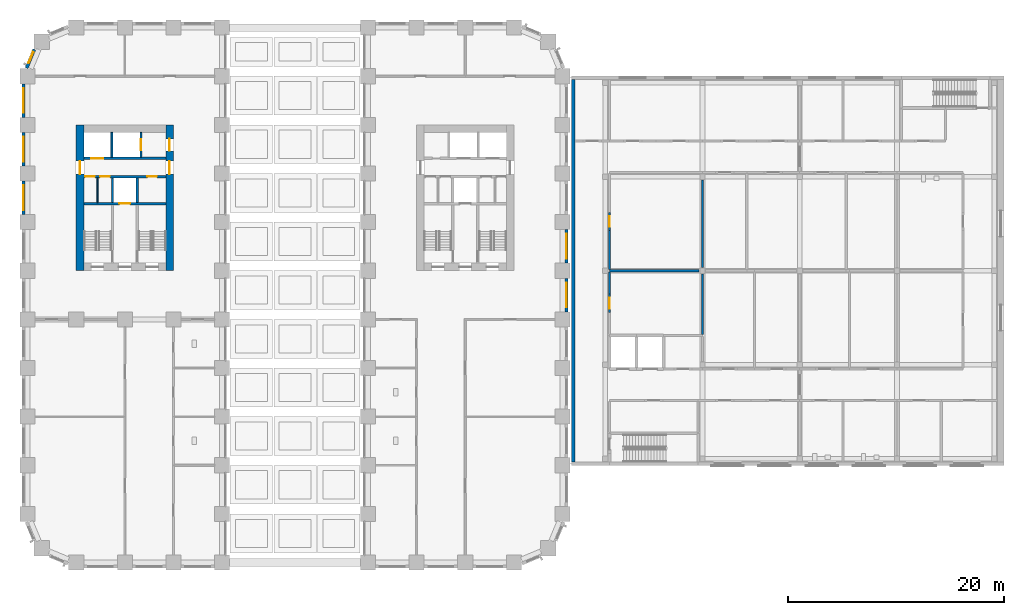
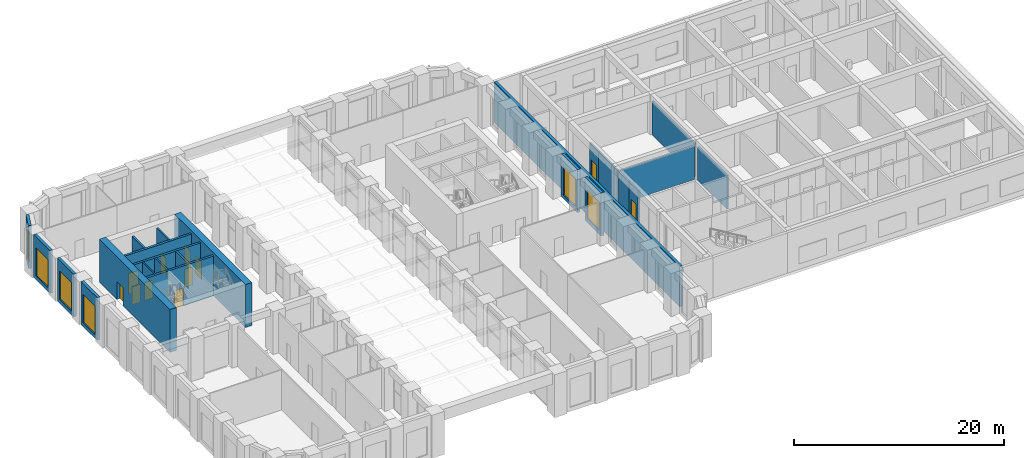
# One storey, part 11 of 24: 24 walls, 11 doors, 6 windows, 17 openings.
"""IFC4 building model written with IfcOpenShell, lengths in metres."""

from ifc_helpers import new_model, si_unit, direction, frame, frame_2d, origin, place, context, subcontext, project, spatial, rectangle, extrude, material, layer, layer_set, type_object, element, fill, save


model = new_model("IFC4")

# Units and contexts
model_context = context("Model", 3, precision=1e-05, world=origin(), true_north=direction((0.0, 1.0)))
body_context = subcontext(model_context, "Body", "Model", "MODEL_VIEW")
ifc_project = project(units=[si_unit("LENGTHUNIT", "METRE"), si_unit("AREAUNIT", "SQUARE_METRE"), si_unit("VOLUMEUNIT", "CUBIC_METRE"), si_unit("PLANEANGLEUNIT", "RADIAN"), si_unit("MASSUNIT", "GRAM", prefix="KILO")], contexts=[model_context])

# Site, building, storey
site_placement = place(None, origin())
site = spatial("IfcSite", under=ifc_project, at=site_placement, CompositionType="ELEMENT")
building_placement = place(site_placement, origin())
building = spatial("IfcBuilding", under=site, at=building_placement, Name="Girih Gate Residences", CompositionType="ELEMENT")
storey_placement = place(building_placement, frame((0.0, 0.0, 16.0)))
storey = spatial("IfcBuildingStorey", under=building, at=storey_placement, Name="L03", CompositionType="ELEMENT", Elevation=16.0)

# Wall, opening, door
ifc_material_1 = material(Name="Concrete C60/75", Category="concrete")
ifc_layer_1 = layer(ifc_material_1, 0.699951171875)
ifc_layer_set_1 = layer_set([ifc_layer_1], Name="Core wall RC 700 Concrete C60/75")
wall_type_1 = type_object("IfcWallType", Name="Core wall RC 700 Concrete C60/75", PredefinedType="SOLIDWALL", material=ifc_layer_set_1)
wall_1_placement = place(storey_placement, frame((4.85009765625, 27.0, 0.0), z_axis=(0.0, 0.0, 1.0), x_axis=(0.0, 1.0, 0.0)))
wall_1 = element("IfcWall", 1, at=wall_1_placement, inside=storey, type_object=wall_type_1, Name="Core wall W-W L03", PredefinedType="SOLIDWALL", context=body_context, shape_type="SweptSolid", body=[
    extrude(rectangle(XDim=13.5, YDim=0.699951171875, at=frame_2d((6.75, 0.0))), origin(), (0.0, 0.0, 1.0), 5.0),
])
opening_1_placement = place(wall_1_placement, frame((8.949951171875, 0.0, 0.0)))
opening_1 = element("IfcOpeningElement", 2, at=opening_1_placement, cuts=wall_1, Name="Opening D-L03-W-013", PredefinedType="OPENING", context=body_context, shape_type="SweptSolid", body=[
    extrude(rectangle(XDim=1.199951171875, YDim=2.10009765625, at=frame_2d((0.60009765625, 1.050048828125))), frame((0.0, 0.35986328125, 0.0), z_axis=(0.0, -1.0, 0.0), x_axis=(1.0, 0.0, 0.0)), (0.0, 0.0, 1.0), 0.719970703125),
])
ifc_material_2 = material(Name="Painted steel, fire-resisting", Category="steel")
door_type_1 = type_object("IfcDoorType", Name="Fire door 1200x2100", OperationType="SINGLE_SWING_LEFT", PredefinedType="DOOR", material=ifc_material_2)
door_1_placement = place(opening_1_placement, origin())
door_1 = element("IfcDoor", 3, at=door_1_placement, inside=storey, type_object=door_type_1, Name="L03 W core door ll-w", OperationType="SINGLE_SWING_LEFT", OverallHeight=2.10009765625, OverallWidth=1.199951171875, PredefinedType="DOOR", context=body_context, shape_type="SweptSolid", body=[
    extrude(rectangle(XDim=1.199951171875, YDim=2.10009765625, at=frame_2d((0.60009765625, 1.050048828125))), frame((0.0, 0.02490234375, 0.0), z_axis=(0.0, -1.0, 0.0), x_axis=(1.0, 0.0, 0.0)), (0.0, 0.0, 1.0), 0.050048828125),
])
fill(opening_1, door_1)

# Wall, openings, doors
wall_2_placement = place(storey_placement, frame((13.14990234375, 27.0, 0.0), z_axis=(0.0, 0.0, 1.0), x_axis=(0.0, 1.0, 0.0)))
wall_2 = element("IfcWall", 4, at=wall_2_placement, inside=storey, type_object=wall_type_1, Name="Core wall W-E L03", PredefinedType="SOLIDWALL", context=body_context, shape_type="SweptSolid", body=[
    extrude(rectangle(XDim=13.5, YDim=0.699951171875, at=frame_2d((6.75, 0.0))), origin(), (0.0, 0.0, 1.0), 5.0),
])
opening_2_placement = place(wall_2_placement, frame((11.10009765625, 0.0, 0.0)))
opening_2 = element("IfcOpeningElement", 5, at=opening_2_placement, cuts=wall_2, Name="Opening D-L03-W-012", PredefinedType="OPENING", context=body_context, shape_type="SweptSolid", body=[
    extrude(rectangle(XDim=1.10009765625, YDim=2.10009765625, at=frame_2d((0.550048828125, 1.050048828125))), frame((0.0, 0.35986328125, 0.0), z_axis=(0.0, -1.0, 0.0), x_axis=(1.0, 0.0, 0.0)), (0.0, 0.0, 1.0), 0.719970703125),
])
opening_3_placement = place(wall_2_placement, frame((8.949951171875, 0.0, 0.0)))
opening_3 = element("IfcOpeningElement", 6, at=opening_3_placement, cuts=wall_2, Name="Opening D-L03-W-014", PredefinedType="OPENING", context=body_context, shape_type="SweptSolid", body=[
    extrude(rectangle(XDim=1.199951171875, YDim=2.10009765625, at=frame_2d((0.60009765625, 1.050048828125))), frame((0.0, 0.35986328125, 0.0), z_axis=(0.0, -1.0, 0.0), x_axis=(1.0, 0.0, 0.0)), (0.0, 0.0, 1.0), 0.719970703125),
])
door_type_2 = type_object("IfcDoorType", Name="Fire door 1100x2100", OperationType="SINGLE_SWING_LEFT", PredefinedType="DOOR", material=ifc_material_2)
door_2_placement = place(opening_2_placement, origin())
door_2 = element("IfcDoor", 7, at=door_2_placement, inside=storey, type_object=door_type_2, Name="L03 W core door ffl2-e", OperationType="SINGLE_SWING_LEFT", OverallHeight=2.10009765625, OverallWidth=1.10009765625, PredefinedType="DOOR", context=body_context, shape_type="SweptSolid", body=[
    extrude(rectangle(XDim=1.10009765625, YDim=2.10009765625, at=frame_2d((0.550048828125, 1.050048828125))), frame((0.0, 0.02490234375, 0.0), z_axis=(0.0, -1.0, 0.0), x_axis=(1.0, 0.0, 0.0)), (0.0, 0.0, 1.0), 0.050048828125),
])
fill(opening_2, door_2)
door_3_placement = place(opening_3_placement, origin())
door_3 = element("IfcDoor", 8, at=door_3_placement, inside=storey, type_object=door_type_1, Name="L03 W core door ll-e", OperationType="SINGLE_SWING_LEFT", OverallHeight=2.10009765625, OverallWidth=1.199951171875, PredefinedType="DOOR", context=body_context, shape_type="SweptSolid", body=[
    extrude(rectangle(XDim=1.199951171875, YDim=2.10009765625, at=frame_2d((0.60009765625, 1.050048828125))), frame((0.0, 0.02490234375, 0.0), z_axis=(0.0, -1.0, 0.0), x_axis=(1.0, 0.0, 0.0)), (0.0, 0.0, 1.0), 0.050048828125),
])
fill(opening_3, door_3)

# Wall, opening, door
ifc_material_3 = material(Name="Fire-rated gypsum partition")
ifc_layer_2 = layer(ifc_material_3, 0.199951171875)
ifc_layer_set_2 = layer_set([ifc_layer_2], Name="HC Corridor wall 200 EI 60")
wall_type_2 = type_object("IfcWallType", Name="HC Corridor wall 200 EI 60", PredefinedType="PARTITIONING", material=ifc_layer_set_2)
wall_3_placement = place(storey_placement, frame((53.85009765625, 24.85009765625, 0.0), z_axis=(0.0, 0.0, 1.0), x_axis=(0.0, -1.0, 0.0)))
wall_3 = element("IfcWall", 9, at=wall_3_placement, inside=storey, type_object=wall_type_2, Name="L03 wall y53.85/23.1", PredefinedType="PARTITIONING", context=body_context, shape_type="SweptSolid", body=[
    extrude(rectangle(XDim=1.7001953125, YDim=0.199951171875, at=frame_2d((0.85009765625, 0.0))), origin(), (0.0, 0.0, 1.0), 3.89990234375),
])
opening_4_placement = place(wall_3_placement, frame((0.35009765625, 0.0, 0.0)))
opening_4 = element("IfcOpeningElement", 10, at=opening_4_placement, cuts=wall_3, Name="Opening HC-L03-D15", PredefinedType="OPENING", context=body_context, shape_type="SweptSolid", body=[
    extrude(rectangle(XDim=1.0, YDim=2.10009765625, at=frame_2d((0.5, 1.050048828125))), frame((0.0, 0.10986328125, 0.0), z_axis=(0.0, -1.0, 0.0), x_axis=(1.0, 0.0, 0.0)), (0.0, 0.0, 1.0), 0.219970703125),
])
ifc_material_4 = material(Name="Timber door set", Category="wood")
door_type_3 = type_object("IfcDoorType", Name="HC Door 1000x2100 FD30S", OperationType="NOTDEFINED", PredefinedType="DOOR", material=ifc_material_4)
door_4_placement = place(opening_4_placement, origin())
door_4 = element("IfcDoor", 11, at=door_4_placement, inside=storey, type_object=door_type_3, Name="L03 Dental waiting area door", OperationType="SINGLE_SWING_RIGHT", OverallHeight=2.10009765625, OverallWidth=1.0, PredefinedType="DOOR", context=body_context, shape_type="SweptSolid", body=[
    extrude(rectangle(XDim=1.0, YDim=2.10009765625, at=frame_2d((0.5, 1.050048828125))), frame((0.0, 0.02490234375, 0.0), z_axis=(0.0, -1.0, 0.0), x_axis=(1.0, 0.0, 0.0)), (0.0, 0.0, 1.0), 0.050048828125),
])
fill(opening_4, door_4)

# Walls
wall_4_placement = place(storey_placement, frame((53.85009765625, 24.85009765625, 0.0), z_axis=(0.0, 0.0, 1.0), x_axis=(0.0, 1.0, 0.0)))
element("IfcWall", 12, at=wall_4_placement, inside=storey, type_object=wall_type_2, Name="L03 wall y53.85/24.9", PredefinedType="PARTITIONING", context=body_context, shape_type="SweptSolid", body=[
    extrude(rectangle(XDim=2.0498046875, YDim=0.199951171875, at=frame_2d((1.02490234375, 0.0))), origin(), (0.0, 0.0, 1.0), 3.89990234375),
])
wall_5_placement = place(storey_placement, frame((53.85009765625, 27.10009765625, 0.0), z_axis=(0.0, 0.0, 1.0), x_axis=(0.0, 1.0, 0.0)))
element("IfcWall", 13, at=wall_5_placement, inside=storey, type_object=wall_type_2, Name="L03 wall y53.85/27.1", PredefinedType="PARTITIONING", context=body_context, shape_type="SweptSolid", body=[
    extrude(rectangle(XDim=3.599853515625, YDim=0.199951171875, at=frame_2d((1.7998046875, 0.0))), origin(), (0.0, 0.0, 1.0), 3.89990234375),
])

# Wall, opening, door
wall_6_placement = place(storey_placement, frame((53.85009765625, 32.39990234375, 0.0), z_axis=(0.0, 0.0, 1.0), x_axis=(0.0, -1.0, 0.0)))
wall_6 = element("IfcWall", 14, at=wall_6_placement, inside=storey, type_object=wall_type_2, Name="L03 wall y53.85/30.7", PredefinedType="PARTITIONING", context=body_context, shape_type="SweptSolid", body=[
    extrude(rectangle(XDim=1.699951171875, YDim=0.199951171875, at=frame_2d((0.85009765625, 0.0))), origin(), (0.0, 0.0, 1.0), 3.89990234375),
])
opening_5_placement = place(wall_6_placement, frame((0.35009765625, 0.0, 0.0)))
opening_5 = element("IfcOpeningElement", 15, at=opening_5_placement, cuts=wall_6, Name="Opening HC-L03-D21", PredefinedType="OPENING", context=body_context, shape_type="SweptSolid", body=[
    extrude(rectangle(XDim=1.0, YDim=2.10009765625, at=frame_2d((0.5, 1.050048828125))), frame((0.0, 0.10986328125, 0.0), z_axis=(0.0, -1.0, 0.0), x_axis=(1.0, 0.0, 0.0)), (0.0, 0.0, 1.0), 0.219970703125),
])
door_5_placement = place(opening_5_placement, origin())
door_5 = element("IfcDoor", 16, at=door_5_placement, inside=storey, type_object=door_type_3, Name="L03 Mental health waiting area door", OperationType="SINGLE_SWING_RIGHT", OverallHeight=2.10009765625, OverallWidth=1.0, PredefinedType="DOOR", context=body_context, shape_type="SweptSolid", body=[
    extrude(rectangle(XDim=1.0, YDim=2.10009765625, at=frame_2d((0.5, 1.050048828125))), frame((0.0, 0.02490234375, 0.0), z_axis=(0.0, -1.0, 0.0), x_axis=(1.0, 0.0, 0.0)), (0.0, 0.0, 1.0), 0.050048828125),
])
fill(opening_5, door_5)

# Walls
ifc_material_5 = material(Name="Precast concrete C40/50", Category="concrete")
ifc_layer_3 = layer(ifc_material_5, 0.300048828125)
ifc_layer_set_3 = layer_set([ifc_layer_3], Name="HC Facade wall 300")
wall_type_3 = type_object("IfcWallType", Name="HC Facade wall 300", PredefinedType="SOLIDWALL", material=ifc_layer_set_3)
wall_7_placement = place(storey_placement, frame((50.5, 9.300048828125, 0.0), z_axis=(0.0, 0.0, 1.0), x_axis=(0.0, 1.0, 0.0)))
element("IfcWall", 17, at=wall_7_placement, inside=storey, type_object=wall_type_3, Name="L03 west facade wall", PredefinedType="SOLIDWALL", context=body_context, shape_type="SweptSolid", body=[
    extrude(rectangle(XDim=35.39990234375, YDim=0.300048828125, at=frame_2d((17.699951171875, 0.0))), origin(), (0.0, 0.0, 1.0), 4.699951171875),
])
ifc_material_6 = material(Name="Gypsum partition")
ifc_layer_4 = layer(ifc_material_6, 0.199951171875)
ifc_layer_set_4 = layer_set([ifc_layer_4], Name="HC Room partition 200 EI 30")
wall_type_4 = type_object("IfcWallType", Name="HC Room partition 200 EI 30", PredefinedType="PARTITIONING", material=ifc_layer_set_4)
wall_8_placement = place(storey_placement, frame((53.85009765625, 27.0, 0.0), z_axis=(0.0, 0.0, 1.0), x_axis=(1.0, 0.0, 0.0)))
element("IfcWall", 18, at=wall_8_placement, inside=storey, type_object=wall_type_4, Name="L03 wall x27.00/53.9", PredefinedType="PARTITIONING", context=body_context, shape_type="SweptSolid", body=[
    extrude(rectangle(XDim=8.2998046875, YDim=0.199951171875, at=frame_2d((4.14990234375, 0.0))), origin(), (0.0, 0.0, 1.0), 3.89990234375),
])
wall_9_placement = place(storey_placement, frame((62.449951171875, 21.10009765625, 0.0), z_axis=(0.0, 0.0, 1.0), x_axis=(0.0, 1.0, 0.0)))
element("IfcWall", 19, at=wall_9_placement, inside=storey, type_object=wall_type_4, Name="L03 wall y62.45/21.1", PredefinedType="PARTITIONING", context=body_context, shape_type="SweptSolid", body=[
    extrude(rectangle(XDim=5.599853515625, YDim=0.199951171875, at=frame_2d((2.7998046875, 0.0))), origin(), (0.0, 0.0, 1.0), 3.89990234375),
])
wall_10_placement = place(storey_placement, frame((62.449951171875, 27.300048828125, 0.0), z_axis=(0.0, 0.0, 1.0), x_axis=(0.0, 1.0, 0.0)))
element("IfcWall", 20, at=wall_10_placement, inside=storey, type_object=wall_type_4, Name="L03 wall y62.45/27.3", PredefinedType="PARTITIONING", context=body_context, shape_type="SweptSolid", body=[
    extrude(rectangle(XDim=8.099853515625, YDim=0.199951171875, at=frame_2d((4.0498046875, 0.0))), origin(), (0.0, 0.0, 1.0), 3.89990234375),
])

# Wall, opening, door
ifc_material_7 = material(Name="Concrete C40/50", Category="concrete")
ifc_layer_5 = layer(ifc_material_7, 0.25)
ifc_layer_set_5 = layer_set([ifc_layer_5], Name="Lift shaft wall 250")
wall_type_5 = type_object("IfcWallType", Name="Lift shaft wall 250", PredefinedType="SOLIDWALL", material=ifc_layer_set_5)
wall_11_placement = place(storey_placement, frame((5.199951171875, 33.199951171875, 0.0), z_axis=(0.0, 0.0, 1.0), x_axis=(1.0, 0.0, 0.0)))
wall_11 = element("IfcWall", 21, at=wall_11_placement, inside=storey, type_object=wall_type_5, Name="L03 W core wall H1", PredefinedType="SOLIDWALL", context=body_context, shape_type="SweptSolid", body=[
    extrude(rectangle(XDim=7.60009765625, YDim=0.25, at=frame_2d((3.800048828125, 0.0))), origin(), (0.0, 0.0, 1.0), 4.64990234375),
])
opening_6_placement = place(wall_11_placement, frame((3.300048828125, 0.0, 0.0)))
opening_6 = element("IfcOpeningElement", 22, at=opening_6_placement, cuts=wall_11, Name="Opening D-L03-W-005", PredefinedType="OPENING", context=body_context, shape_type="SweptSolid", body=[
    extrude(rectangle(XDim=1.0, YDim=2.10009765625, at=frame_2d((0.5, 1.050048828125))), frame((0.0, 0.135009765625, 0.0), z_axis=(0.0, -1.0, 0.0), x_axis=(1.0, 0.0, 0.0)), (0.0, 0.0, 1.0), 0.27001953125),
])
ifc_material_8 = material(Name="Stainless steel, fire-resisting", Category="steel")
door_type_4 = type_object("IfcDoorType", Name="Firefighting lift landing door 1000x2100", OperationType="SLIDING_TO_LEFT", PredefinedType="DOOR", material=ifc_material_8)
door_6_placement = place(opening_6_placement, origin())
door_6 = element("IfcDoor", 23, at=door_6_placement, inside=storey, type_object=door_type_4, Name="L03 lift FF-W landing door", OperationType="SLIDING_TO_LEFT", OverallHeight=2.10009765625, OverallWidth=1.0, PredefinedType="DOOR", context=body_context, shape_type="SweptSolid", body=[
    extrude(rectangle(XDim=1.0, YDim=2.10009765625, at=frame_2d((0.5, 1.050048828125))), frame((0.0, 0.02490234375, 0.0), z_axis=(0.0, -1.0, 0.0), x_axis=(1.0, 0.0, 0.0)), (0.0, 0.0, 1.0), 0.050048828125),
])
fill(opening_6, door_6)

# Wall, openings, doors
wall_12_placement = place(storey_placement, frame((5.199951171875, 35.699951171875, 0.0), z_axis=(0.0, 0.0, 1.0), x_axis=(1.0, 0.0, 0.0)))
wall_12 = element("IfcWall", 24, at=wall_12_placement, inside=storey, type_object=wall_type_5, Name="L03 W core wall H2", PredefinedType="SOLIDWALL", context=body_context, shape_type="SweptSolid", body=[
    extrude(rectangle(XDim=7.60009765625, YDim=0.25, at=frame_2d((3.800048828125, 0.0))), origin(), (0.0, 0.0, 1.0), 4.64990234375),
])
opening_7_placement = place(wall_12_placement, frame((0.137451171875, 0.0, 0.0)))
opening_7 = element("IfcOpeningElement", 25, at=opening_7_placement, cuts=wall_12, Name="Opening D-L03-W-006", PredefinedType="OPENING", context=body_context, shape_type="SweptSolid", body=[
    extrude(rectangle(XDim=0.89990234375, YDim=2.10009765625, at=frame_2d((0.449951171875, 1.050048828125))), frame((0.0, 0.135009765625, 0.0), z_axis=(0.0, -1.0, 0.0), x_axis=(1.0, 0.0, 0.0)), (0.0, 0.0, 1.0), 0.27001953125),
])
opening_8_placement = place(wall_12_placement, frame((1.512451171875, 0.0, 0.0)))
opening_8 = element("IfcOpeningElement", 26, at=opening_8_placement, cuts=wall_12, Name="Opening D-L03-W-007", PredefinedType="OPENING", context=body_context, shape_type="SweptSolid", body=[
    extrude(rectangle(XDim=0.89990234375, YDim=2.10009765625, at=frame_2d((0.449951171875, 1.050048828125))), frame((0.0, 0.135009765625, 0.0), z_axis=(0.0, -1.0, 0.0), x_axis=(1.0, 0.0, 0.0)), (0.0, 0.0, 1.0), 0.27001953125),
])
opening_9_placement = place(wall_12_placement, frame((5.875, 0.0, 0.0)))
opening_9 = element("IfcOpeningElement", 27, at=opening_9_placement, cuts=wall_12, Name="Opening D-L03-W-008", PredefinedType="OPENING", context=body_context, shape_type="SweptSolid", body=[
    extrude(rectangle(XDim=0.89990234375, YDim=2.10009765625, at=frame_2d((0.449951171875, 1.050048828125))), frame((0.0, 0.135009765625, 0.0), z_axis=(0.0, -1.0, 0.0), x_axis=(1.0, 0.0, 0.0)), (0.0, 0.0, 1.0), 0.27001953125),
])
door_type_5 = type_object("IfcDoorType", Name="Fire door 900x2100", OperationType="SINGLE_SWING_LEFT", PredefinedType="DOOR", material=ifc_material_2)
door_7_placement = place(opening_7_placement, origin())
door_7 = element("IfcDoor", 28, at=door_7_placement, inside=storey, type_object=door_type_5, Name="L03 W housekeeping store door", OperationType="SINGLE_SWING_LEFT", OverallHeight=2.10009765625, OverallWidth=0.89990234375, PredefinedType="DOOR", context=body_context, shape_type="SweptSolid", body=[
    extrude(rectangle(XDim=0.89990234375, YDim=2.10009765625, at=frame_2d((0.449951171875, 1.050048828125))), frame((0.0, 0.02490234375, 0.0), z_axis=(0.0, -1.0, 0.0), x_axis=(1.0, 0.0, 0.0)), (0.0, 0.0, 1.0), 0.050048828125),
])
fill(opening_7, door_7)
door_8_placement = place(opening_8_placement, origin())
door_8 = element("IfcDoor", 29, at=door_8_placement, inside=storey, type_object=door_type_5, Name="L03 W refuse store door", OperationType="SINGLE_SWING_LEFT", OverallHeight=2.10009765625, OverallWidth=0.89990234375, PredefinedType="DOOR", context=body_context, shape_type="SweptSolid", body=[
    extrude(rectangle(XDim=0.89990234375, YDim=2.10009765625, at=frame_2d((0.449951171875, 1.050048828125))), frame((0.0, 0.02490234375, 0.0), z_axis=(0.0, -1.0, 0.0), x_axis=(1.0, 0.0, 0.0)), (0.0, 0.0, 1.0), 0.050048828125),
])
fill(opening_8, door_8)
door_9_placement = place(opening_9_placement, origin())
door_9 = element("IfcDoor", 30, at=door_9_placement, inside=storey, type_object=door_type_5, Name="L03 W linen store door", OperationType="SINGLE_SWING_LEFT", OverallHeight=2.10009765625, OverallWidth=0.89990234375, PredefinedType="DOOR", context=body_context, shape_type="SweptSolid", body=[
    extrude(rectangle(XDim=0.89990234375, YDim=2.10009765625, at=frame_2d((0.449951171875, 1.050048828125))), frame((0.0, 0.02490234375, 0.0), z_axis=(0.0, -1.0, 0.0), x_axis=(1.0, 0.0, 0.0)), (0.0, 0.0, 1.0), 0.050048828125),
])
fill(opening_9, door_9)

# Wall, opening, door
wall_13_placement = place(storey_placement, frame((5.199951171875, 37.39990234375, 0.0), z_axis=(0.0, 0.0, 1.0), x_axis=(1.0, 0.0, 0.0)))
wall_13 = element("IfcWall", 31, at=wall_13_placement, inside=storey, type_object=wall_type_5, Name="L03 W core wall H3", PredefinedType="SOLIDWALL", context=body_context, shape_type="SweptSolid", body=[
    extrude(rectangle(XDim=7.60009765625, YDim=0.25, at=frame_2d((3.800048828125, 0.0))), origin(), (0.0, 0.0, 1.0), 4.64990234375),
])
opening_10_placement = place(wall_13_placement, frame((0.699951171875, 0.0, 0.0)))
opening_10 = element("IfcOpeningElement", 32, at=opening_10_placement, cuts=wall_13, Name="Opening D-L03-W-003", PredefinedType="OPENING", context=body_context, shape_type="SweptSolid", body=[
    extrude(rectangle(XDim=1.10009765625, YDim=2.39990234375, at=frame_2d((0.550048828125, 1.199951171875))), frame((0.0, 0.135009765625, 0.0), z_axis=(0.0, -1.0, 0.0), x_axis=(1.0, 0.0, 0.0)), (0.0, 0.0, 1.0), 0.27001953125),
])
ifc_material_9 = material(Name="Stainless steel", Category="steel")
door_type_6 = type_object("IfcDoorType", Name="Lift landing door 1100x2400", OperationType="SLIDING_TO_LEFT", PredefinedType="DOOR", material=ifc_material_9)
door_10_placement = place(opening_10_placement, origin())
door_10 = element("IfcDoor", 33, at=door_10_placement, inside=storey, type_object=door_type_6, Name="L03 lift LR-W1 landing door", OperationType="SLIDING_TO_LEFT", OverallHeight=2.39990234375, OverallWidth=1.10009765625, PredefinedType="DOOR", context=body_context, shape_type="SweptSolid", body=[
    extrude(rectangle(XDim=1.10009765625, YDim=2.39990234375, at=frame_2d((0.550048828125, 1.199951171875))), frame((0.0, 0.02490234375, 0.0), z_axis=(0.0, -1.0, 0.0), x_axis=(1.0, 0.0, 0.0)), (0.0, 0.0, 1.0), 0.050048828125),
])
fill(opening_10, door_10)

# Wall, opening, window
ifc_material_10 = material(Name="Precast concrete C50/60", Category="concrete")
ifc_layer_6 = layer(ifc_material_10, 0.080078125, Name="Outer leaf")
ifc_material_11 = material(Name="Rigid PIR insulation")
ifc_layer_7 = layer(ifc_material_11, 0.14990234375, Name="Insulation")
ifc_layer_8 = layer(ifc_material_5, 0.070068359375, Name="Inner leaf")
ifc_layer_set_6 = layer_set([ifc_layer_6, ifc_layer_7, ifc_layer_8], Name="Precast concrete C50/60 external wall 300")
wall_type_6 = type_object("IfcWallType", Name="Precast concrete C50/60 external wall 300", PredefinedType="SOLIDWALL", material=ifc_layer_set_6)
wall_14_placement = place(storey_placement, frame((-0.09228515625, 45.75732421875, 0.0), z_axis=(0.0, 0.0, 1.0), x_axis=(0.382737135771, 0.923857286003, 0.0)))
wall_14 = element("IfcWall", 34, at=wall_14_placement, inside=storey, type_object=wall_type_6, Name="External wall NW0013_0482.0", PredefinedType="SOLIDWALL", context=body_context, shape_type="SweptSolid", body=[
    extrude(rectangle(XDim=1.865234375, YDim=0.300048828125, at=frame_2d((0.9326171875, 0.0))), origin(), (0.0, 0.0, 1.0), 5.0),
])
opening_11_placement = place(wall_14_placement, frame((0.507568359375, 0.0, 0.449951171875)))
opening_11 = element("IfcOpeningElement", 35, at=opening_11_placement, cuts=wall_14, Name="Opening W-2A", PredefinedType="OPENING", context=body_context, shape_type="SweptSolid", body=[
    extrude(rectangle(XDim=1.10009765625, YDim=3.300048828125, at=frame_2d((0.550048828125, 1.64990234375))), frame((0.0, 0.159912109375, 0.0), z_axis=(0.0, -1.0, 0.0), x_axis=(1.0, 0.0, 0.0)), (0.0, 0.0, 1.0), 0.320068359375),
])
ifc_material_12 = material(Name="Double glazing in aluminium frame", Category="aluminium")
window_type_1 = type_object("IfcWindowType", Name="Window W-2A 1100x3300", PartitioningType="SINGLE_PANEL", PredefinedType="WINDOW", material=ifc_material_12)
window_1_placement = place(opening_11_placement, origin())
window_1 = element("IfcWindow", 36, at=window_1_placement, inside=storey, type_object=window_type_1, Name="Window W-2A NW0013_0482.0", OverallHeight=3.300048828125, OverallWidth=1.10009765625, PartitioningType="SINGLE_PANEL", PredefinedType="WINDOW", context=body_context, shape_type="SweptSolid", body=[
    extrude(rectangle(XDim=1.10009765625, YDim=3.300048828125, at=frame_2d((0.550048828125, 1.64990234375))), frame((0.0, 0.030029296875, 0.0), z_axis=(0.0, -1.0, 0.0), x_axis=(1.0, 0.0, 0.0)), (0.0, 0.0, 1.0), 0.06005859375),
])
fill(opening_11, window_1)

wall_15_placement = place(storey_placement, frame((-0.375, 41.199951171875, 0.0), z_axis=(0.0, 0.0, 1.0), x_axis=(0.0, 1.0, 0.0)))
wall_15 = element("IfcWall", 37, at=wall_15_placement, inside=storey, type_object=wall_type_6, Name="External wall W0000_0450.0", PredefinedType="SOLIDWALL", context=body_context, shape_type="SweptSolid", body=[
    extrude(rectangle(XDim=3.10009765625, YDim=0.300048828125, at=frame_2d((1.550048828125, 0.0))), origin(), (0.0, 0.0, 1.0), 5.0),
])
opening_12_placement = place(wall_15_placement, frame((0.39990234375, 0.0, 0.449951171875)))
opening_12 = element("IfcOpeningElement", 38, at=opening_12_placement, cuts=wall_15, Name="Opening W-3", PredefinedType="OPENING", context=body_context, shape_type="SweptSolid", body=[
    extrude(rectangle(XDim=2.300048828125, YDim=3.300048828125, at=frame_2d((1.14990234375, 1.64990234375))), frame((0.0, 0.159912109375, 0.0), z_axis=(0.0, -1.0, 0.0), x_axis=(1.0, 0.0, 0.0)), (0.0, 0.0, 1.0), 0.320068359375),
])
window_type_2 = type_object("IfcWindowType", Name="Window W-3 2300x3300", PartitioningType="SINGLE_PANEL", PredefinedType="WINDOW", material=ifc_material_12)
window_2_placement = place(opening_12_placement, origin())
window_2 = element("IfcWindow", 39, at=window_2_placement, inside=storey, type_object=window_type_2, Name="Window W-3 W0000_0450.0", OverallHeight=3.300048828125, OverallWidth=2.300048828125, PartitioningType="SINGLE_PANEL", PredefinedType="WINDOW", context=body_context, shape_type="SweptSolid", body=[
    extrude(rectangle(XDim=2.300048828125, YDim=3.300048828125, at=frame_2d((1.14990234375, 1.64990234375))), frame((0.0, 0.030029296875, 0.0), z_axis=(0.0, -1.0, 0.0), x_axis=(1.0, 0.0, 0.0)), (0.0, 0.0, 1.0), 0.06005859375),
])
fill(opening_12, window_2)

wall_16_placement = place(storey_placement, frame((-0.375, 36.699951171875, 0.0), z_axis=(0.0, 0.0, 1.0), x_axis=(0.0, 1.0, 0.0)))
wall_16 = element("IfcWall", 40, at=wall_16_placement, inside=storey, type_object=wall_type_6, Name="External wall W0000_0450.1", PredefinedType="SOLIDWALL", context=body_context, shape_type="SweptSolid", body=[
    extrude(rectangle(XDim=3.10009765625, YDim=0.300048828125, at=frame_2d((1.550048828125, 0.0))), origin(), (0.0, 0.0, 1.0), 5.0),
])
opening_13_placement = place(wall_16_placement, frame((0.39990234375, 0.0, 0.449951171875)))
opening_13 = element("IfcOpeningElement", 41, at=opening_13_placement, cuts=wall_16, Name="Opening W-3", PredefinedType="OPENING", context=body_context, shape_type="SweptSolid", body=[
    extrude(rectangle(XDim=2.300048828125, YDim=3.300048828125, at=frame_2d((1.14990234375, 1.64990234375))), frame((0.0, 0.159912109375, 0.0), z_axis=(0.0, -1.0, 0.0), x_axis=(1.0, 0.0, 0.0)), (0.0, 0.0, 1.0), 0.320068359375),
])
window_3_placement = place(opening_13_placement, origin())
window_3 = element("IfcWindow", 42, at=window_3_placement, inside=storey, type_object=window_type_2, Name="Window W-3 W0000_0450.1", OverallHeight=3.300048828125, OverallWidth=2.300048828125, PartitioningType="SINGLE_PANEL", PredefinedType="WINDOW", context=body_context, shape_type="SweptSolid", body=[
    extrude(rectangle(XDim=2.300048828125, YDim=3.300048828125, at=frame_2d((1.14990234375, 1.64990234375))), frame((0.0, 0.030029296875, 0.0), z_axis=(0.0, -1.0, 0.0), x_axis=(1.0, 0.0, 0.0)), (0.0, 0.0, 1.0), 0.06005859375),
])
fill(opening_13, window_3)

wall_17_placement = place(storey_placement, frame((-0.375, 32.199951171875, 0.0), z_axis=(0.0, 0.0, 1.0), x_axis=(0.0, 1.0, 0.0)))
wall_17 = element("IfcWall", 43, at=wall_17_placement, inside=storey, type_object=wall_type_6, Name="External wall W0000_0450.2", PredefinedType="SOLIDWALL", context=body_context, shape_type="SweptSolid", body=[
    extrude(rectangle(XDim=3.10009765625, YDim=0.300048828125, at=frame_2d((1.550048828125, 0.0))), origin(), (0.0, 0.0, 1.0), 5.0),
])
opening_14_placement = place(wall_17_placement, frame((0.39990234375, 0.0, 0.449951171875)))
opening_14 = element("IfcOpeningElement", 44, at=opening_14_placement, cuts=wall_17, Name="Opening W-3", PredefinedType="OPENING", context=body_context, shape_type="SweptSolid", body=[
    extrude(rectangle(XDim=2.300048828125, YDim=3.300048828125, at=frame_2d((1.14990234375, 1.64990234375))), frame((0.0, 0.159912109375, 0.0), z_axis=(0.0, -1.0, 0.0), x_axis=(1.0, 0.0, 0.0)), (0.0, 0.0, 1.0), 0.320068359375),
])
window_4_placement = place(opening_14_placement, origin())
window_4 = element("IfcWindow", 45, at=window_4_placement, inside=storey, type_object=window_type_2, Name="Window W-3 W0000_0450.2", OverallHeight=3.300048828125, OverallWidth=2.300048828125, PartitioningType="SINGLE_PANEL", PredefinedType="WINDOW", context=body_context, shape_type="SweptSolid", body=[
    extrude(rectangle(XDim=2.300048828125, YDim=3.300048828125, at=frame_2d((1.14990234375, 1.64990234375))), frame((0.0, 0.030029296875, 0.0), z_axis=(0.0, -1.0, 0.0), x_axis=(1.0, 0.0, 0.0)), (0.0, 0.0, 1.0), 0.06005859375),
])
fill(opening_14, window_4)

wall_18_placement = place(storey_placement, frame((49.875, 26.300048828125, 0.0), z_axis=(0.0, 0.0, 1.0), x_axis=(0.0, -1.0, 0.0)))
wall_18 = element("IfcWall", 46, at=wall_18_placement, inside=storey, type_object=wall_type_6, Name="External wall E0495_0045.4", PredefinedType="SOLIDWALL", context=body_context, shape_type="SweptSolid", body=[
    extrude(rectangle(XDim=3.10009765625, YDim=0.300048828125, at=frame_2d((1.550048828125, 0.0))), origin(), (0.0, 0.0, 1.0), 5.0),
])
opening_15_placement = place(wall_18_placement, frame((0.39990234375, 0.0, 0.449951171875)))
opening_15 = element("IfcOpeningElement", 47, at=opening_15_placement, cuts=wall_18, Name="Opening W-3", PredefinedType="OPENING", context=body_context, shape_type="SweptSolid", body=[
    extrude(rectangle(XDim=2.300048828125, YDim=3.300048828125, at=frame_2d((1.14990234375, 1.64990234375))), frame((0.0, 0.159912109375, 0.0), z_axis=(0.0, -1.0, 0.0), x_axis=(1.0, 0.0, 0.0)), (0.0, 0.0, 1.0), 0.320068359375),
])
window_5_placement = place(opening_15_placement, origin())
window_5 = element("IfcWindow", 48, at=window_5_placement, inside=storey, type_object=window_type_2, Name="Window W-3 E0495_0045.4", OverallHeight=3.300048828125, OverallWidth=2.300048828125, PartitioningType="SINGLE_PANEL", PredefinedType="WINDOW", context=body_context, shape_type="SweptSolid", body=[
    extrude(rectangle(XDim=2.300048828125, YDim=3.300048828125, at=frame_2d((1.14990234375, 1.64990234375))), frame((0.0, 0.030029296875, 0.0), z_axis=(0.0, -1.0, 0.0), x_axis=(1.0, 0.0, 0.0)), (0.0, 0.0, 1.0), 0.06005859375),
])
fill(opening_15, window_5)

wall_19_placement = place(storey_placement, frame((49.875, 30.800048828125, 0.0), z_axis=(0.0, 0.0, 1.0), x_axis=(0.0, -1.0, 0.0)))
wall_19 = element("IfcWall", 49, at=wall_19_placement, inside=storey, type_object=wall_type_6, Name="External wall E0495_0045.5", PredefinedType="SOLIDWALL", context=body_context, shape_type="SweptSolid", body=[
    extrude(rectangle(XDim=3.10009765625, YDim=0.300048828125, at=frame_2d((1.550048828125, 0.0))), origin(), (0.0, 0.0, 1.0), 5.0),
])
opening_16_placement = place(wall_19_placement, frame((0.39990234375, 0.0, 0.449951171875)))
opening_16 = element("IfcOpeningElement", 50, at=opening_16_placement, cuts=wall_19, Name="Opening W-3", PredefinedType="OPENING", context=body_context, shape_type="SweptSolid", body=[
    extrude(rectangle(XDim=2.300048828125, YDim=3.300048828125, at=frame_2d((1.14990234375, 1.64990234375))), frame((0.0, 0.159912109375, 0.0), z_axis=(0.0, -1.0, 0.0), x_axis=(1.0, 0.0, 0.0)), (0.0, 0.0, 1.0), 0.320068359375),
])
window_6_placement = place(opening_16_placement, origin())
window_6 = element("IfcWindow", 51, at=window_6_placement, inside=storey, type_object=window_type_2, Name="Window W-3 E0495_0045.5", OverallHeight=3.300048828125, OverallWidth=2.300048828125, PartitioningType="SINGLE_PANEL", PredefinedType="WINDOW", context=body_context, shape_type="SweptSolid", body=[
    extrude(rectangle(XDim=2.300048828125, YDim=3.300048828125, at=frame_2d((1.14990234375, 1.64990234375))), frame((0.0, 0.030029296875, 0.0), z_axis=(0.0, -1.0, 0.0), x_axis=(1.0, 0.0, 0.0)), (0.0, 0.0, 1.0), 0.06005859375),
])
fill(opening_16, window_6)

# Wall
ifc_layer_9 = layer(ifc_material_7, 0.175048828125)
ifc_layer_set_7 = layer_set([ifc_layer_9], Name="Riser shaft wall 175")
wall_type_7 = type_object("IfcWallType", Name="Riser shaft wall 175", PredefinedType="SOLIDWALL", material=ifc_layer_set_7)
wall_20_placement = place(storey_placement, frame((7.800048828125, 37.5, 0.0), z_axis=(0.0, 0.0, 1.0), x_axis=(0.0, 1.0, 0.0)))
element("IfcWall", 52, at=wall_20_placement, inside=storey, type_object=wall_type_7, Name="L03 W core wall V1c", PredefinedType="SOLIDWALL", context=body_context, shape_type="SweptSolid", body=[
    extrude(rectangle(XDim=2.300048828125, YDim=0.175048828125, at=frame_2d((1.14990234375, 0.0))), origin(), (0.0, 0.0, 1.0), 4.64990234375),
])

# Wall, opening, door
wall_21_placement = place(storey_placement, frame((10.5, 37.5, 0.0), z_axis=(0.0, 0.0, 1.0), x_axis=(0.0, 1.0, 0.0)))
wall_21 = element("IfcWall", 53, at=wall_21_placement, inside=storey, type_object=wall_type_7, Name="L03 W core wall V2c", PredefinedType="SOLIDWALL", context=body_context, shape_type="SweptSolid", body=[
    extrude(rectangle(XDim=2.300048828125, YDim=0.175048828125, at=frame_2d((1.14990234375, 0.0))), origin(), (0.0, 0.0, 1.0), 4.64990234375),
])
opening_17_placement = place(wall_21_placement, frame((0.64990234375, 0.0, 0.0)))
opening_17 = element("IfcOpeningElement", 54, at=opening_17_placement, cuts=wall_21, Name="Opening D-L03-W-004", PredefinedType="OPENING", context=body_context, shape_type="SweptSolid", body=[
    extrude(rectangle(XDim=1.0, YDim=2.10009765625, at=frame_2d((0.5, 1.050048828125))), frame((0.0, 0.097412109375, 0.0), z_axis=(0.0, -1.0, 0.0), x_axis=(1.0, 0.0, 0.0)), (0.0, 0.0, 1.0), 0.195068359375),
])
door_11_placement = place(opening_17_placement, origin())
door_11 = element("IfcDoor", 55, at=door_11_placement, inside=storey, type_object=door_type_4, Name="L03 lift FF-W2 landing door", OperationType="SLIDING_TO_LEFT", OverallHeight=2.10009765625, OverallWidth=1.0, PredefinedType="DOOR", context=body_context, shape_type="SweptSolid", body=[
    extrude(rectangle(XDim=1.0, YDim=2.10009765625, at=frame_2d((0.5, 1.050048828125))), frame((0.0, 0.02490234375, 0.0), z_axis=(0.0, -1.0, 0.0), x_axis=(1.0, 0.0, 0.0)), (0.0, 0.0, 1.0), 0.050048828125),
])
fill(opening_17, door_11)

# Walls
ifc_layer_10 = layer(ifc_material_7, 0.199951171875)
ifc_layer_set_8 = layer_set([ifc_layer_10], Name="Shaft wall 200")
wall_type_8 = type_object("IfcWallType", Name="Shaft wall 200", PredefinedType="SOLIDWALL", material=ifc_layer_set_8)
for number, where, z_axis, x_axis, name in (
    (56, (7.85009765625, 33.300048828125, 0.0), (0.0, 0.0, 1.0), (0.0, 1.0, 0.0), "L03 W core wall V1b"),
    (57, (10.14990234375, 33.300048828125, 0.0), (0.0, 0.0, 1.0), (0.0, 1.0, 0.0), "L03 W core wall V2b"),
):
    element("IfcWall", number, at=place(storey_placement, frame(where, z_axis=z_axis, x_axis=x_axis)), inside=storey, type_object=wall_type_8, Name=name, PredefinedType="SOLIDWALL", context=body_context, shape_type="SweptSolid", body=[
        extrude(rectangle(XDim=2.300048828125, YDim=0.199951171875, at=frame_2d((1.14990234375, 0.0))), origin(), (0.0, 0.0, 1.0), 4.64990234375),
    ])
ifc_material_13 = material(Name="Calcium silicate blockwork", Category="masonry")
ifc_layer_11 = layer(ifc_material_13, 0.125)
ifc_layer_set_9 = layer_set([ifc_layer_11], Name="Store partition 125")
wall_type_9 = type_object("IfcWallType", Name="Store partition 125", PredefinedType="PARTITIONING", material=ifc_layer_set_9)
wall_22_placement = place(storey_placement, frame((6.47509765625, 33.300048828125, 0.0), z_axis=(0.0, 0.0, 1.0), x_axis=(0.0, 1.0, 0.0)))
element("IfcWall", 58, at=wall_22_placement, inside=storey, type_object=wall_type_9, Name="L03 W core wall SHR1", PredefinedType="PARTITIONING", context=body_context, shape_type="SweptSolid", body=[
    extrude(rectangle(XDim=2.300048828125, YDim=0.125, at=frame_2d((1.14990234375, 0.0))), origin(), (0.0, 0.0, 1.0), 4.64990234375),
])

save(model, "model.ifc")
